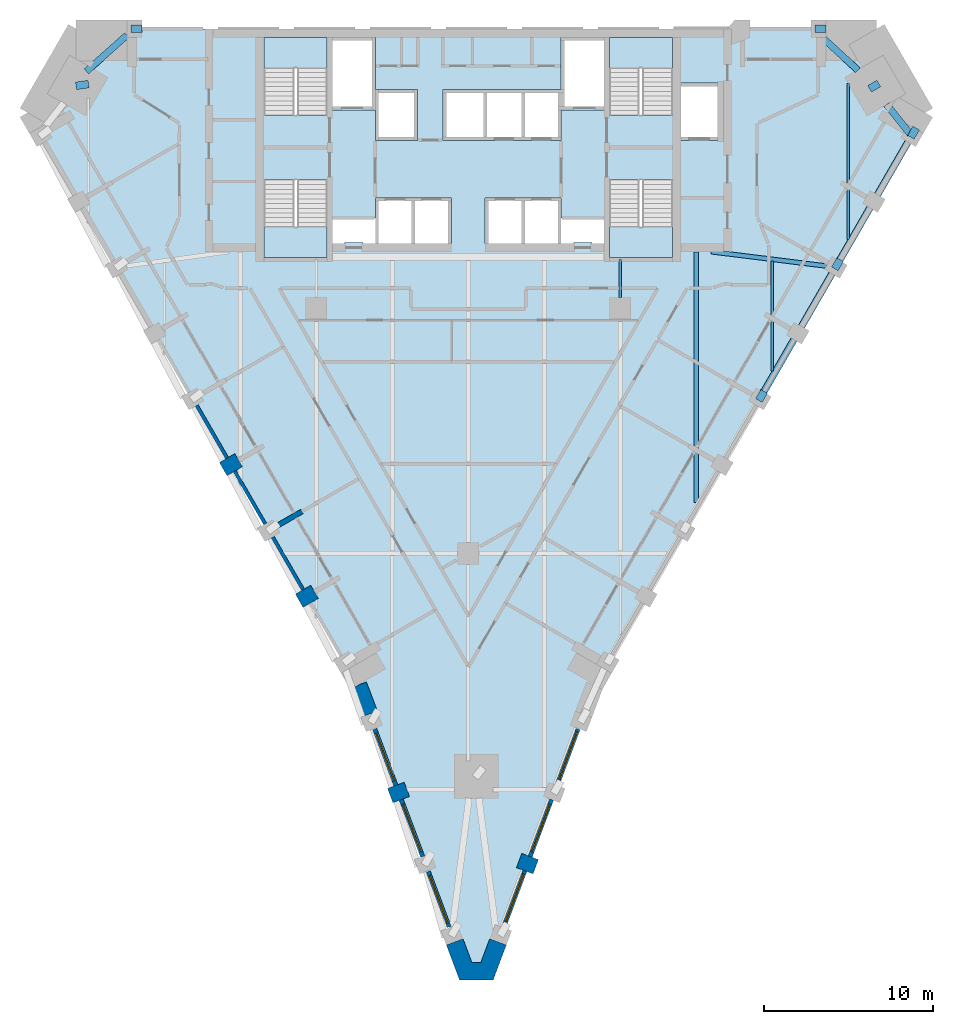
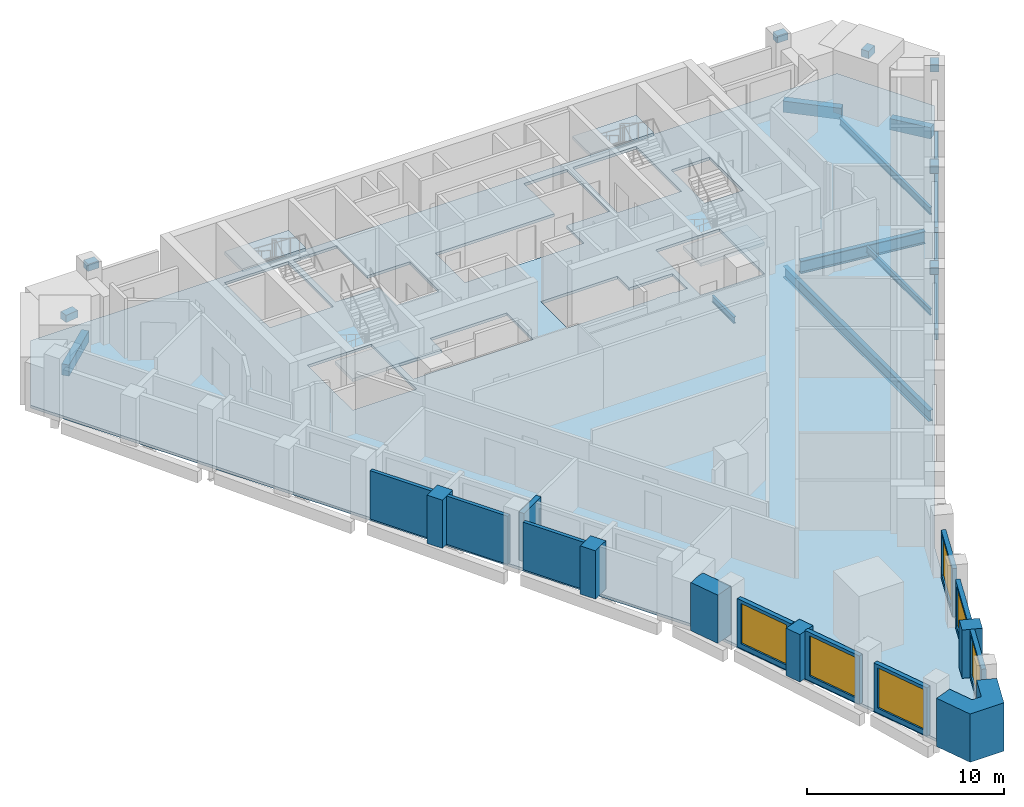
# One storey, part 2 of 10: 17 beams, 16 walls, 6 windows, 5 slabs, 6 openings, 4 elements without a shape of their own.
"""IFC4 building model written with IfcOpenShell, lengths in metres."""

from ifc_helpers import new_model, si_unit, direction, frame, frame_2d, origin, origin_2d, place, context, subcontext, project, spatial, polyline, rectangle, i_section, outline, extrude, material, layer, layer_set, material_profile, profile_set, type_object, element, fill, aggregate, save


model = new_model("IFC4")

# Units and contexts
model_context = context("Model", 3, precision=1e-05, world=origin(), true_north=direction((0.0, 1.0)))
body_context = subcontext(model_context, "Body", "Model", "MODEL_VIEW")
ifc_project = project(units=[si_unit("LENGTHUNIT", "METRE"), si_unit("AREAUNIT", "SQUARE_METRE"), si_unit("VOLUMEUNIT", "CUBIC_METRE"), si_unit("PLANEANGLEUNIT", "RADIAN"), si_unit("MASSUNIT", "GRAM", prefix="KILO")], contexts=[model_context])

# Site, building, storey
site_placement = place(None, origin())
site = spatial("IfcSite", under=ifc_project, at=site_placement, CompositionType="ELEMENT")
building_placement = place(site_placement, origin())
building = spatial("IfcBuilding", under=site, at=building_placement, Name="Calabash Gate Tower", CompositionType="ELEMENT")
storey_placement = place(building_placement, frame((0.0, 0.0, 175.800048828125)))
storey = spatial("IfcBuildingStorey", under=building, at=storey_placement, Name="L41", CompositionType="ELEMENT", Elevation=175.800048828125)

# Beams
ifc_material_1 = material(Name="Concrete C80/95", Category="concrete")
ifc_material_profile_1 = material_profile(ifc_material_1, rectangle(XDim=0.449951171875, YDim=0.449951171875, at=origin_2d()))
ifc_profile_set_1 = profile_set([ifc_material_profile_1], Name="Concrete C80/95")
beam_type_1 = type_object("IfcBeamType", Name="Column offset link RC 450x450 Concrete C80/95", PredefinedType="BEAM", material=ifc_profile_set_1)
beam_1_placement = place(storey_placement, frame((23.762939453125, 15.5029296875, 3.50390625), z_axis=(0.866114673684, 0.499845348112, 0.0), x_axis=(-0.499845348112, 0.866114673684, 0.0)))
element("IfcBeam", 1, at=beam_1_placement, inside=storey, type_object=beam_type_1, Name="Column offset link L41 NE", PredefinedType="BEAM", context=body_context, shape_type="SweptSolid", body=[
    extrude(rectangle(XDim=0.449951171875, YDim=0.449951171875, at=origin_2d()), origin(), (0.0, 0.0, 1.0), 0.630615234375),
])
beam_2_placement = place(storey_placement, frame((-23.222900390625, 15.677001953125, 3.50390625), z_axis=(0.990188541439, 0.139737798759, 0.0), x_axis=(-0.139737798759, 0.990188541439, 0.0)))
element("IfcBeam", 2, at=beam_2_placement, inside=storey, type_object=beam_type_1, Name="Column offset link L41 NW", PredefinedType="BEAM", context=body_context, shape_type="SweptSolid", body=[
    extrude(rectangle(XDim=0.449951171875, YDim=0.449951171875, at=origin_2d()), origin(), (0.0, 0.0, 1.0), 0.751220703125),
])
for number, where, z_axis, x_axis, name in (
    (3, (17.20703125, -2.952880859375, 3.50390625), (0.49972245349, 0.866185586049, 0.0), (-0.866185586049, 0.49972245349, 0.0), "Column offset link L41 P11"),
    (4, (21.70703125, 4.841064453125, 3.50390625), (0.49972245349, 0.866185586049, 0.0), (-0.866185586049, 0.49972245349, 0.0), "Column offset link L41 P12"),
):
    element("IfcBeam", number, at=place(storey_placement, frame(where, z_axis=z_axis, x_axis=x_axis)), inside=storey, type_object=beam_type_1, Name=name, PredefinedType="BEAM", context=body_context, shape_type="SweptSolid", body=[
        extrude(rectangle(XDim=0.449951171875, YDim=0.449951171875, at=origin_2d()), origin(), (0.0, 0.0, 1.0), 0.630126953125),
    ])
beam_3_placement = place(storey_placement, frame((26.20703125, 12.635986328125, 3.50390625), z_axis=(0.500393920955, 0.865797853931, 0.0), x_axis=(-0.865797853931, 0.500393920955, 0.0)))
element("IfcBeam", 5, at=beam_3_placement, inside=storey, type_object=beam_type_1, Name="Column offset link L41 P13", PredefinedType="BEAM", context=body_context, shape_type="SweptSolid", body=[
    extrude(rectangle(XDim=0.449951171875, YDim=0.449951171875, at=origin_2d()), origin(), (0.0, 0.0, 1.0), 0.62939453125),
])
for number, where, z_axis, x_axis, name in (
    (6, (-19.9580078125, 19.052978515625, 3.50390625), (1.0, 0.0, 0.0), (0.0, 1.0, 0.0), "Column offset link L41 P17"),
    (7, (20.5419921875, 19.052978515625, 3.50390625), (1.0, 0.0, 0.0), (0.0, 1.0, 0.0), "Column offset link L41 P24"),
):
    element("IfcBeam", number, at=place(storey_placement, frame(where, z_axis=z_axis, x_axis=x_axis)), inside=storey, type_object=beam_type_1, Name=name, PredefinedType="BEAM", context=body_context, shape_type="SweptSolid", body=[
        extrude(rectangle(XDim=0.449951171875, YDim=0.449951171875, at=origin_2d()), origin(), (0.0, 0.0, 1.0), 0.630126953125),
    ])
ifc_material_2 = material(Name="Concrete C50/60", Category="concrete")
ifc_material_profile_2 = material_profile(ifc_material_2, rectangle(XDim=0.39990234375, YDim=0.699951171875, at=origin_2d()))
ifc_profile_set_2 = profile_set([ifc_material_profile_2], Name="Concrete C50/60")
beam_type_2 = type_object("IfcBeamType", Name="Edge beam RC 400x700 Concrete C50/60", PredefinedType="BEAM", material=ifc_profile_set_2)
beam_4_placement = place(storey_placement, frame((17.27197265625, -2.840087890625, -0.52001953125), z_axis=(0.500135313796, 0.865947266232, 0.0), x_axis=(-0.865947266232, 0.500135313796, 0.0)))
element("IfcBeam", 8, at=beam_4_placement, inside=storey, type_object=beam_type_2, Name="Edge beam L41 13", PredefinedType="BEAM", context=body_context, shape_type="SweptSolid", body=[
    extrude(rectangle(XDim=0.39990234375, YDim=0.699951171875, at=origin_2d()), origin(), (0.0, 0.0, 1.0), 8.548095703125),
])
beam_5_placement = place(storey_placement, frame((21.77197265625, 4.95703125, -0.52001953125), z_axis=(0.50029616164, 0.865854347248, 0.0), x_axis=(-0.865854347248, 0.50029616164, 0.0)))
element("IfcBeam", 9, at=beam_5_placement, inside=storey, type_object=beam_type_2, Name="Edge beam L41 14", PredefinedType="BEAM", context=body_context, shape_type="SweptSolid", body=[
    extrude(rectangle(XDim=0.39990234375, YDim=0.699951171875, at=origin_2d()), origin(), (0.0, 0.0, 1.0), 8.545166015625),
])
beam_6_placement = place(storey_placement, frame((26.176025390625, 12.81103515625, -0.52001953125), z_axis=(-0.620961056093, 0.78384141688, 0.0), x_axis=(-0.78384141688, -0.620961056093, 0.0)))
element("IfcBeam", 10, at=beam_6_placement, inside=storey, type_object=beam_type_2, Name="Edge beam L41 15", PredefinedType="BEAM", context=body_context, shape_type="SweptSolid", body=[
    extrude(rectangle(XDim=0.39990234375, YDim=0.699951171875, at=origin_2d()), origin(), (0.0, 0.0, 1.0), 2.2529296875),
])
beam_7_placement = place(storey_placement, frame((23.073974609375, 16.60595703125, -0.52001953125), z_axis=(-0.737193931514, 0.675681217246, 0.0), x_axis=(-0.675681217246, -0.737193931514, 0.0)))
element("IfcBeam", 11, at=beam_7_placement, inside=storey, type_object=beam_type_2, Name="Edge beam L41 16", PredefinedType="BEAM", context=body_context, shape_type="SweptSolid", body=[
    extrude(rectangle(XDim=0.39990234375, YDim=0.699951171875, at=origin_2d()), origin(), (0.0, 0.0, 1.0), 3.05615234375),
])
beam_8_placement = place(storey_placement, frame((-20.2109375, 18.677001953125, -0.52001953125), z_axis=(-0.746361655532, -0.665540591664, 0.0), x_axis=(0.665540591664, -0.746361655532, 0.0)))
element("IfcBeam", 12, at=beam_8_placement, inside=storey, type_object=beam_type_2, Name="Edge beam L41 17", PredefinedType="BEAM", context=body_context, shape_type="SweptSolid", body=[
    extrude(rectangle(XDim=0.39990234375, YDim=0.699951171875, at=origin_2d()), origin(), (0.0, 0.0, 1.0), 3.217041015625),
])
ifc_material_3 = material(Name="Steel ASTM A992 Gr50", Category="steel")
ifc_material_profile_3 = material_profile(ifc_material_3, i_section(OverallWidth=0.1396484375, OverallDepth=0.398681640625, WebThickness=0.00634765625, FlangeThickness=0.0087890625, FilletRadius=0.01025390625, at=origin_2d()))
ifc_profile_set_3 = profile_set([ifc_material_profile_3], Name="Steel ASTM A992 Gr50")
beam_type_3 = type_object("IfcBeamType", Name="Floor beam W16x26 ASTM A992 Gr50", PredefinedType="BEAM", material=ifc_profile_set_3)
beam_9_placement = place(storey_placement, frame((9.0, 3.14990234375, -0.369140625), z_axis=(0.0, 1.0, 0.0), x_axis=(-1.0, 0.0, 0.0)))
element("IfcBeam", 13, at=beam_9_placement, inside=storey, type_object=beam_type_3, Name="Floor beam L41 15", PredefinedType="BEAM", context=body_context, shape_type="SweptSolid", body=[
    extrude(i_section(OverallWidth=0.1396484375, OverallDepth=0.398681640625, WebThickness=0.00634765625, FlangeThickness=0.0087890625, FilletRadius=0.01025390625, at=origin_2d()), origin(), (0.0, 0.0, 1.0), 2.253173828125),
])
beam_10_placement = place(storey_placement, frame((18.0, -1.2109375, -0.369140625), z_axis=(0.0, 1.0, 0.0), x_axis=(-1.0, 0.0, 0.0)))
element("IfcBeam", 14, at=beam_10_placement, inside=storey, type_object=beam_type_3, Name="Floor beam L41 17", PredefinedType="BEAM", context=body_context, shape_type="SweptSolid", body=[
    extrude(i_section(OverallWidth=0.1396484375, OverallDepth=0.398681640625, WebThickness=0.00634765625, FlangeThickness=0.0087890625, FilletRadius=0.01025390625, at=origin_2d()), origin(), (0.0, 0.0, 1.0), 6.5048828125),
])
ifc_material_4 = material(Name="Steel ASTM A992 Gr50", Category="steel")
ifc_material_profile_4 = material_profile(ifc_material_4, i_section(OverallWidth=0.15234375, OverallDepth=0.44970703125, WebThickness=0.007568359375, FlangeThickness=0.0107421875, FilletRadius=0.01025390625, at=origin_2d()))
ifc_profile_set_4 = profile_set([ifc_material_profile_4], Name="Steel ASTM A992 Gr50")
beam_type_4 = type_object("IfcBeamType", Name="Floor beam W18x35 ASTM A992 Gr50", PredefinedType="BEAM", material=ifc_profile_set_4)
beam_11_placement = place(storey_placement, frame((22.5, 6.5830078125, -0.39306640625), z_axis=(0.0, 1.0, 0.0), x_axis=(-1.0, 0.0, 0.0)))
element("IfcBeam", 15, at=beam_11_placement, inside=storey, type_object=beam_type_4, Name="Floor beam L41 18", PredefinedType="BEAM", context=body_context, shape_type="SweptSolid", body=[
    extrude(i_section(OverallWidth=0.15234375, OverallDepth=0.44970703125, WebThickness=0.007568359375, FlangeThickness=0.0107421875, FilletRadius=0.01025390625, at=origin_2d()), origin(), (0.0, 0.0, 1.0), 9.22900390625),
])
ifc_material_5 = material(Name="Steel ASTM A992 Gr50", Category="steel")
ifc_material_profile_5 = material_profile(ifc_material_5, i_section(OverallWidth=0.25390625, OverallDepth=0.67822265625, WebThickness=0.01171875, FlangeThickness=0.016357421875, FilletRadius=0.01513671875, at=origin_2d()))
ifc_profile_set_5 = profile_set([ifc_material_profile_5], Name="Steel ASTM A992 Gr50")
beam_type_5 = type_object("IfcBeamType", Name="Floor beam W27x84 ASTM A992 Gr50", PredefinedType="BEAM", material=ifc_profile_set_5)
beam_12_placement = place(storey_placement, frame((13.5, -9.0029296875, -0.509033203125), z_axis=(0.0, 1.0, 0.0), x_axis=(-1.0, 0.0, 0.0)))
element("IfcBeam", 16, at=beam_12_placement, inside=storey, type_object=beam_type_5, Name="Floor beam L41 16", PredefinedType="BEAM", context=body_context, shape_type="SweptSolid", body=[
    extrude(i_section(OverallWidth=0.25390625, OverallDepth=0.67822265625, WebThickness=0.01171875, FlangeThickness=0.016357421875, FilletRadius=0.01513671875, at=origin_2d()), origin(), (0.0, 0.0, 1.0), 14.85595703125),
])
ifc_material_6 = material(Name="Steel ASTM A992 Gr50", Category="steel")
ifc_material_profile_6 = material_profile(ifc_material_6, i_section(OverallWidth=0.2666015625, OverallDepth=0.77978515625, WebThickness=0.0166015625, FlangeThickness=0.030029296875, FilletRadius=0.0166015625, at=origin_2d()))
ifc_profile_set_6 = profile_set([ifc_material_profile_6], Name="Steel ASTM A992 Gr50")
beam_type_6 = type_object("IfcBeamType", Name="Girder W30x148 ASTM A992 Gr50", PredefinedType="BEAM", material=ifc_profile_set_6)
beam_13_placement = place(storey_placement, frame((21.218994140625, 5.007080078125, -0.56005859375), z_axis=(-0.992362690963, 0.123354325355, 0.0), x_axis=(-0.123354325355, -0.992362690963, 0.0)))
element("IfcBeam", 17, at=beam_13_placement, inside=storey, type_object=beam_type_6, Name="Girder L41 3", PredefinedType="BEAM", context=body_context, shape_type="SweptSolid", body=[
    extrude(i_section(OverallWidth=0.2666015625, OverallDepth=0.77978515625, WebThickness=0.0166015625, FlangeThickness=0.030029296875, FilletRadius=0.0166015625, at=origin_2d()), origin(), (0.0, 0.0, 1.0), 6.8896484375),
])

# Slab
ifc_material_7 = material(Name="Concrete C40/50", Category="concrete")
ifc_layer_1 = layer(ifc_material_7, 0.169921875)
ifc_layer_set_1 = layer_set([ifc_layer_1], Name="Composite floor slab 170 Concrete C40/50")
slab_type_1 = type_object("IfcSlabType", Name="Composite floor slab 170 Concrete C40/50", PredefinedType="FLOOR", material=ifc_layer_set_1)
slab_1_placement = place(storey_placement, frame((0.0, 0.0, -0.170166015625)))
element("IfcSlab", 18, at=slab_1_placement, inside=storey, type_object=slab_type_1, Name="Floor slab L41", PredefinedType="FLOOR", context=body_context, shape_type="SweptSolid", body=[
    extrude(outline(polyline([(-23.2216796875, 19.052490234375), (24.18115234375, 19.052490234375), (27.04638671875, 14.08984375), (7.479736328125, -19.800537109375), (1.113037109375, -36.739990234375), (-0.153564453125, -36.739990234375), (-6.520263671875, -19.800537109375), (-26.0869140625, 14.08984375), (-23.2216796875, 19.052490234375)]), holes=[polyline([(-3.25, 9.052490234375), (-5.5, 9.052490234375), (-5.5, 7.8525390625), (-8.050048828125, 7.8525390625), (-8.050048828125, 6.3525390625), (-7.324951171875, 6.3525390625), (-7.324951171875, 6.402587890625), (-6.22509765625, 6.402587890625), (-6.22509765625, 6.3525390625), (-5.5, 6.3525390625), (-3.25, 6.3525390625), (-1.0, 6.3525390625), (-1.0, 9.052490234375), (-3.25, 9.052490234375)]), polyline([(5.5, 6.3525390625), (6.22509765625, 6.3525390625), (6.22509765625, 6.402587890625), (7.324951171875, 6.402587890625), (7.324951171875, 6.3525390625), (8.050048828125, 6.3525390625), (8.050048828125, 7.8525390625), (5.5, 7.8525390625), (5.5, 9.052490234375), (3.25, 9.052490234375), (1.0, 9.052490234375), (1.0, 6.3525390625), (3.25, 6.3525390625), (5.5, 6.3525390625)]), polyline([(-5.5, 12.45263671875), (-3.0, 12.45263671875), (-3.0, 15.45263671875), (-5.5, 15.45263671875), (-5.5, 18.552490234375), (-8.050048828125, 18.552490234375), (-8.050048828125, 14.252685546875), (-5.5, 14.252685546875), (-5.5, 12.45263671875)]), polyline([(-1.5, 15.45263671875), (-1.5, 12.45263671875), (1.0, 12.45263671875), (3.25, 12.45263671875), (5.5, 12.45263671875), (5.5, 14.252685546875), (8.050048828125, 14.252685546875), (8.050048828125, 18.552490234375), (5.5, 18.552490234375), (5.5, 15.45263671875), (3.25, 15.45263671875), (1.0, 15.45263671875), (-1.5, 15.45263671875)]), polyline([(14.85009765625, 15.8525390625), (12.60009765625, 15.8525390625), (12.60009765625, 12.45263671875), (14.85009765625, 12.45263671875), (14.85009765625, 15.8525390625)]), polyline([(-8.35009765625, 18.552490234375), (-12.10009765625, 18.552490234375), (-12.10009765625, 13.95263671875), (-8.35009765625, 13.95263671875), (-8.35009765625, 18.552490234375)]), polyline([(-12.10009765625, 10.1025390625), (-12.10009765625, 5.502685546875), (-8.35009765625, 5.502685546875), (-8.35009765625, 10.1025390625), (-12.10009765625, 10.1025390625)]), polyline([(8.35009765625, 13.95263671875), (12.10009765625, 13.95263671875), (12.10009765625, 18.552490234375), (8.35009765625, 18.552490234375), (8.35009765625, 13.95263671875)]), polyline([(12.10009765625, 5.502685546875), (12.10009765625, 10.1025390625), (8.35009765625, 10.1025390625), (8.35009765625, 5.502685546875), (12.10009765625, 5.502685546875)])]), origin(), (0.0, 0.0, 1.0), 0.170166015625),
])

# Stair, slab
ifc_material_8 = material(Name="Concrete C40/50", Category="concrete")
stair_type = type_object("IfcStairType", Name="Exit stair 22 risers of 177.3 mm", PredefinedType="HALF_TURN_STAIR", material=ifc_material_8)
stair_1_placement = place(storey_placement, origin())
stair_1 = element("IfcStair", 19, at=stair_1_placement, inside=storey, type_object=stair_type, Name="L41 Exit stair ST1", PredefinedType="HALF_TURN_STAIR")
ifc_material_9 = material(Name="Concrete C40/50", Category="concrete")
ifc_layer_2 = layer(ifc_material_9, 0.199951171875)
ifc_layer_set_2 = layer_set([ifc_layer_2], Name="Stair landing SL200")
slab_type_2 = type_object("IfcSlabType", Name="Stair landing SL200", PredefinedType="LANDING", material=ifc_layer_set_2)
slab_2_placement = place(storey_placement, frame((0.0, 0.0, 1.75)))
slab_2 = element("IfcSlab", 20, at=slab_2_placement, type_object=slab_type_2, Name="ST1 landing 1", PredefinedType="LANDING", context=body_context, shape_type="SweptSolid", body=[
    extrude(outline(polyline([(-8.35009765625, 16.74267578125), (-8.35009765625, 18.552490234375), (-12.10009765625, 18.552490234375), (-12.10009765625, 16.74267578125), (-8.35009765625, 16.74267578125)])), origin(), (0.0, 0.0, 1.0), 0.199951171875),
])
aggregate(stair_1, [slab_2])

stair_2_placement = place(storey_placement, origin())
stair_2 = element("IfcStair", 21, at=stair_2_placement, inside=storey, type_object=stair_type, Name="L41 Exit stair ST2", PredefinedType="HALF_TURN_STAIR")
slab_3_placement = place(storey_placement, frame((0.0, 0.0, 1.75)))
slab_3 = element("IfcSlab", 22, at=slab_3_placement, type_object=slab_type_2, Name="ST2 landing 1", PredefinedType="LANDING", context=body_context, shape_type="SweptSolid", body=[
    extrude(outline(polyline([(-12.10009765625, 7.3125), (-12.10009765625, 5.502685546875), (-8.35009765625, 5.502685546875), (-8.35009765625, 7.3125), (-12.10009765625, 7.3125)])), origin(), (0.0, 0.0, 1.0), 0.199951171875),
])
aggregate(stair_2, [slab_3])

stair_3_placement = place(storey_placement, origin())
stair_3 = element("IfcStair", 23, at=stair_3_placement, inside=storey, type_object=stair_type, Name="L41 Exit stair ST3", PredefinedType="HALF_TURN_STAIR")
slab_4_placement = place(storey_placement, frame((0.0, 0.0, 1.75)))
slab_4 = element("IfcSlab", 24, at=slab_4_placement, type_object=slab_type_2, Name="ST3 landing 1", PredefinedType="LANDING", context=body_context, shape_type="SweptSolid", body=[
    extrude(outline(polyline([(12.10009765625, 16.74267578125), (12.10009765625, 18.552490234375), (8.35009765625, 18.552490234375), (8.35009765625, 16.74267578125), (12.10009765625, 16.74267578125)])), origin(), (0.0, 0.0, 1.0), 0.199951171875),
])
aggregate(stair_3, [slab_4])

stair_4_placement = place(storey_placement, origin())
stair_4 = element("IfcStair", 25, at=stair_4_placement, inside=storey, type_object=stair_type, Name="L41 Exit stair ST4", PredefinedType="HALF_TURN_STAIR")
slab_5_placement = place(storey_placement, frame((0.0, 0.0, 1.75)))
slab_5 = element("IfcSlab", 26, at=slab_5_placement, type_object=slab_type_2, Name="ST4 landing 1", PredefinedType="LANDING", context=body_context, shape_type="SweptSolid", body=[
    extrude(outline(polyline([(8.35009765625, 7.3125), (8.35009765625, 5.502685546875), (12.10009765625, 5.502685546875), (12.10009765625, 7.3125), (8.35009765625, 7.3125)])), origin(), (0.0, 0.0, 1.0), 0.199951171875),
])
aggregate(stair_4, [slab_5])

# Walls
ifc_material_10 = material(Name="Terracotta brick masonry, exposed face", Category="masonry")
ifc_layer_3 = layer(ifc_material_10, 1.050048828125)
ifc_layer_set_3 = layer_set([ifc_layer_3], Name="Brick end wall 1050")
wall_type_1 = type_object("IfcWallType", Name="Brick end wall 1050", PredefinedType="SOLIDWALL", material=ifc_layer_set_3)
for number, where, z_axis, x_axis, name in (
    (27, (-14.50830078125, -7.014892578125, 0.0), (0.0, 0.0, 1.0), (0.866088799389, 0.499890179513, 0.0), "Brick pier S11 SW0.5"),
    (28, (-10.00830078125, -14.80908203125, 0.0), (0.0, 0.0, 1.0), (0.866088799389, 0.499890179513, 0.0), "Brick pier S11 SW0.7"),
):
    element("IfcWall", number, at=place(storey_placement, frame(where, z_axis=z_axis, x_axis=x_axis)), inside=storey, type_object=wall_type_1, Name=name, PredefinedType="SOLIDWALL", context=body_context, shape_type="SweptSolid", body=[
        extrude(rectangle(XDim=1.050048828125, YDim=0.89990234375, at=frame_2d((0.52490234375, 0.0))), origin(), (0.0, 0.0, 1.0), 3.0),
    ])
wall_1_placement = place(storey_placement, frame((-4.6201171875, -26.348876953125, 0.0), z_axis=(0.0, 0.0, 1.0), x_axis=(0.936003928089, 0.351989554676, 0.0)))
element("IfcWall", 29, at=wall_1_placement, inside=storey, type_object=wall_type_1, Name="Brick pier S11 wedge1.1", PredefinedType="SOLIDWALL", context=body_context, shape_type="SweptSolid", body=[
    extrude(rectangle(XDim=1.050048828125, YDim=0.89990234375, at=frame_2d((0.52490234375, 0.0))), origin(), (0.0, 0.0, 1.0), 2.949951171875),
])
wall_2_placement = place(storey_placement, frame((3.99609375, -30.56103515625, 0.0), z_axis=(0.0, 0.0, 1.0), x_axis=(-0.936080509118, 0.351785844584, 0.0)))
element("IfcWall", 30, at=wall_2_placement, inside=storey, type_object=wall_type_1, Name="Brick pier S11 wedge3.1", PredefinedType="SOLIDWALL", context=body_context, shape_type="SweptSolid", body=[
    extrude(rectangle(XDim=1.050048828125, YDim=0.89990234375, at=frame_2d((0.52490234375, 0.0))), origin(), (0.0, 0.0, 1.0), 3.0),
])
wall_3_placement = place(storey_placement, origin())
element("IfcWall", 31, at=wall_3_placement, inside=storey, type_object=wall_type_1, Name="Brick end wall S11 1", PredefinedType="SOLIDWALL", context=body_context, shape_type="SweptSolid", body=[
    extrude(outline(polyline([(-5.378662109375, -21.345947265625), (-6.02880859375, -19.61572265625), (-6.520263671875, -19.800537109375), (-6.97509765625, -20.06298828125), (-6.99658203125, -20.025634765625), (-6.361572265625, -21.71533203125), (-5.378662109375, -21.345947265625)])), origin(), (0.0, 0.0, 1.0), 3.0),
])
wall_4_placement = place(storey_placement, origin())
element("IfcWall", 32, at=wall_4_placement, inside=storey, type_object=wall_type_1, Name="Brick end wall S11 2", PredefinedType="SOLIDWALL", context=body_context, shape_type="SweptSolid", body=[
    extrude(outline(polyline([(-1.295166015625, -35.19482421875), (-0.51708984375, -37.264892578125), (1.4765625, -37.264892578125), (2.254638671875, -35.194580078125), (1.271484375, -34.82568359375), (0.74951171875, -36.21484375), (0.2099609375, -36.21484375), (-0.312255859375, -34.825439453125), (-1.295166015625, -35.19482421875)])), origin(), (0.0, 0.0, 1.0), 3.0),
])
ifc_material_11 = material(Name="Terracotta brick masonry, exposed face", Category="masonry")
ifc_layer_4 = layer(ifc_material_11, 0.300048828125)
ifc_layer_set_4 = layer_set([ifc_layer_4], Name="Brick loggia cheek wall 300")
wall_type_2 = type_object("IfcWallType", Name="Brick loggia cheek wall 300", PredefinedType="SOLIDWALL", material=ifc_layer_set_4)
wall_5_placement = place(storey_placement, frame((-11.348876953125, -10.386962890625, 0.0), z_axis=(0.0, 0.0, 1.0), x_axis=(0.866074815912, 0.499914405916, 0.0)))
element("IfcWall", 33, at=wall_5_placement, inside=storey, type_object=wall_type_2, Name="Loggia cheek S11 SW0.6", PredefinedType="SOLIDWALL", context=body_context, shape_type="SweptSolid", body=[
    extrude(rectangle(XDim=1.724853515625, YDim=0.300048828125, at=frame_2d((0.8623046875, 0.0))), origin(), (0.0, 0.0, 1.0), 3.0),
])

# Wall, opening, window
ifc_material_12 = material(Name="Aluminium framed window wall with insulated spandrel", Category="aluminium")
ifc_layer_5 = layer(ifc_material_12, 0.25)
ifc_layer_set_5 = layer_set([ifc_layer_5], Name="Prow window wall 250")
wall_type_3 = type_object("IfcWallType", Name="Prow window wall 250", PredefinedType="ELEMENTEDWALL", material=ifc_layer_set_5)
wall_6_placement = place(storey_placement, frame((-5.535888671875, -22.419921875, 0.0), z_axis=(0.0, 0.0, 1.0), x_axis=(0.351861542378, -0.936052057845, 0.0)))
wall_6 = element("IfcWall", 34, at=wall_6_placement, inside=storey, type_object=wall_type_3, Name="Prow window wall S11 wedge1.1", PredefinedType="ELEMENTEDWALL", context=body_context, shape_type="SweptSolid", body=[
    extrude(rectangle(XDim=3.5517578125, YDim=0.25, at=frame_2d((1.77587890625, 0.0))), origin(), (0.0, 0.0, 1.0), 3.0),
])
opening_1_placement = place(wall_6_placement, frame((0.25, 0.0, 0.300048828125)))
opening_1 = element("IfcOpeningElement", 35, at=opening_1_placement, cuts=wall_6, Name="Opening WP2", PredefinedType="OPENING", context=body_context, shape_type="SweptSolid", body=[
    extrude(rectangle(XDim=3.0, YDim=2.5, at=frame_2d((1.5, 1.25))), frame((0.0, 0.135009765625, 0.0), z_axis=(0.0, -1.0, 0.0), x_axis=(1.0, 0.0, 0.0)), (0.0, 0.0, 1.0), 0.27001953125),
])
ifc_material_13 = material(Name="Anodised aluminium frame, bronze finish, impact-rated laminated clear glazing", Category="aluminium")
window_type = type_object("IfcWindowType", Name="Window WP2 3000x2500", PartitioningType="DOUBLE_PANEL_VERTICAL", PredefinedType="WINDOW", material=ifc_material_13)
window_1_placement = place(opening_1_placement, origin())
window_1 = element("IfcWindow", 36, at=window_1_placement, inside=storey, type_object=window_type, Name="Prow window WP2 S11 wedge1.1", OverallHeight=2.5, OverallWidth=3.0, PartitioningType="SINGLE_PANEL", PredefinedType="WINDOW", context=body_context, shape_type="SweptSolid", body=[
    extrude(rectangle(XDim=3.0, YDim=2.5, at=frame_2d((1.5, 1.25))), frame((0.0, 0.030029296875, 0.0), z_axis=(0.0, -1.0, 0.0), x_axis=(1.0, 0.0, 0.0)), (0.0, 0.0, 1.0), 0.06005859375),
])
fill(opening_1, window_1)

wall_7_placement = place(storey_placement, frame((-3.97021484375, -26.585205078125, 0.0), z_axis=(0.0, 0.0, 1.0), x_axis=(0.351829371284, -0.936064150314, 0.0)))
wall_7 = element("IfcWall", 37, at=wall_7_placement, inside=storey, type_object=wall_type_3, Name="Prow window wall S11 wedge1.2", PredefinedType="ELEMENTEDWALL", context=body_context, shape_type="SweptSolid", body=[
    extrude(rectangle(XDim=3.60009765625, YDim=0.25, at=frame_2d((1.800048828125, 0.0))), origin(), (0.0, 0.0, 1.0), 3.0),
])
opening_2_placement = place(wall_7_placement, frame((0.300048828125, 0.0, 0.300048828125)))
opening_2 = element("IfcOpeningElement", 38, at=opening_2_placement, cuts=wall_7, Name="Opening WP2", PredefinedType="OPENING", context=body_context, shape_type="SweptSolid", body=[
    extrude(rectangle(XDim=3.0, YDim=2.5, at=frame_2d((1.5, 1.25))), frame((0.0, 0.135009765625, 0.0), z_axis=(0.0, -1.0, 0.0), x_axis=(1.0, 0.0, 0.0)), (0.0, 0.0, 1.0), 0.27001953125),
])
window_2_placement = place(opening_2_placement, origin())
window_2 = element("IfcWindow", 39, at=window_2_placement, inside=storey, type_object=window_type, Name="Prow window WP2 S11 wedge1.2", OverallHeight=2.5, OverallWidth=3.0, PartitioningType="SINGLE_PANEL", PredefinedType="WINDOW", context=body_context, shape_type="SweptSolid", body=[
    extrude(rectangle(XDim=3.0, YDim=2.5, at=frame_2d((1.5, 1.25))), frame((0.0, 0.030029296875, 0.0), z_axis=(0.0, -1.0, 0.0), x_axis=(1.0, 0.0, 0.0)), (0.0, 0.0, 1.0), 0.06005859375),
])
fill(opening_2, window_2)

wall_8_placement = place(storey_placement, frame((-2.369384765625, -30.844482421875, 0.0), z_axis=(0.0, 0.0, 1.0), x_axis=(0.351788440802, -0.936079533436, 0.0)))
wall_8 = element("IfcWall", 40, at=wall_8_placement, inside=storey, type_object=wall_type_3, Name="Prow window wall S11 wedge1.3", PredefinedType="ELEMENTEDWALL", context=body_context, shape_type="SweptSolid", body=[
    extrude(rectangle(XDim=3.499755859375, YDim=0.25, at=frame_2d((1.75, 0.0))), origin(), (0.0, 0.0, 1.0), 3.0),
])
opening_3_placement = place(wall_8_placement, frame((0.25, 0.0, 0.300048828125)))
opening_3 = element("IfcOpeningElement", 41, at=opening_3_placement, cuts=wall_8, Name="Opening WP2", PredefinedType="OPENING", context=body_context, shape_type="SweptSolid", body=[
    extrude(rectangle(XDim=3.0, YDim=2.5, at=frame_2d((1.5, 1.25))), frame((0.0, 0.135009765625, 0.0), z_axis=(0.0, -1.0, 0.0), x_axis=(1.0, 0.0, 0.0)), (0.0, 0.0, 1.0), 0.27001953125),
])
window_3_placement = place(opening_3_placement, origin())
window_3 = element("IfcWindow", 42, at=window_3_placement, inside=storey, type_object=window_type, Name="Prow window WP2 S11 wedge1.3", OverallHeight=2.5, OverallWidth=3.0, PartitioningType="SINGLE_PANEL", PredefinedType="WINDOW", context=body_context, shape_type="SweptSolid", body=[
    extrude(rectangle(XDim=3.0, YDim=2.5, at=frame_2d((1.5, 1.25))), frame((0.0, 0.030029296875, 0.0), z_axis=(0.0, -1.0, 0.0), x_axis=(1.0, 0.0, 0.0)), (0.0, 0.0, 1.0), 0.06005859375),
])
fill(opening_3, window_3)

wall_9_placement = place(storey_placement, frame((2.079833984375, -34.16748046875, 0.0), z_axis=(0.0, 0.0, 1.0), x_axis=(0.351829371284, 0.936064150314, 0.0)))
wall_9 = element("IfcWall", 43, at=wall_9_placement, inside=storey, type_object=wall_type_3, Name="Prow window wall S11 wedge3.1", PredefinedType="ELEMENTEDWALL", context=body_context, shape_type="SweptSolid", body=[
    extrude(rectangle(XDim=3.60009765625, YDim=0.25, at=frame_2d((1.800048828125, 0.0))), origin(), (0.0, 0.0, 1.0), 3.0),
])
opening_4_placement = place(wall_9_placement, frame((0.39990234375, 0.0, 0.300048828125)))
opening_4 = element("IfcOpeningElement", 44, at=opening_4_placement, cuts=wall_9, Name="Opening WP2", PredefinedType="OPENING", context=body_context, shape_type="SweptSolid", body=[
    extrude(rectangle(XDim=3.0, YDim=2.5, at=frame_2d((1.5, 1.25))), frame((0.0, 0.135009765625, 0.0), z_axis=(0.0, -1.0, 0.0), x_axis=(1.0, 0.0, 0.0)), (0.0, 0.0, 1.0), 0.27001953125),
])
window_4_placement = place(opening_4_placement, origin())
window_4 = element("IfcWindow", 45, at=window_4_placement, inside=storey, type_object=window_type, Name="Prow window WP2 S11 wedge3.1", OverallHeight=2.5, OverallWidth=3.0, PartitioningType="SINGLE_PANEL", PredefinedType="WINDOW", context=body_context, shape_type="SweptSolid", body=[
    extrude(rectangle(XDim=3.0, YDim=2.5, at=frame_2d((1.5, 1.25))), frame((0.0, 0.030029296875, 0.0), z_axis=(0.0, -1.0, 0.0), x_axis=(1.0, 0.0, 0.0)), (0.0, 0.0, 1.0), 0.06005859375),
])
fill(opening_4, window_4)

wall_10_placement = place(storey_placement, frame((3.6630859375, -29.955078125, 0.0), z_axis=(0.0, 0.0, 1.0), x_axis=(0.351829371284, 0.936064150314, 0.0)))
wall_10 = element("IfcWall", 46, at=wall_10_placement, inside=storey, type_object=wall_type_3, Name="Prow window wall S11 wedge3.2", PredefinedType="ELEMENTEDWALL", context=body_context, shape_type="SweptSolid", body=[
    extrude(rectangle(XDim=3.60009765625, YDim=0.25, at=frame_2d((1.800048828125, 0.0))), origin(), (0.0, 0.0, 1.0), 3.0),
])
opening_5_placement = place(wall_10_placement, frame((0.300048828125, 0.0, 0.300048828125)))
opening_5 = element("IfcOpeningElement", 47, at=opening_5_placement, cuts=wall_10, Name="Opening WP2", PredefinedType="OPENING", context=body_context, shape_type="SweptSolid", body=[
    extrude(rectangle(XDim=3.0, YDim=2.5, at=frame_2d((1.5, 1.25))), frame((0.0, 0.135009765625, 0.0), z_axis=(0.0, -1.0, 0.0), x_axis=(1.0, 0.0, 0.0)), (0.0, 0.0, 1.0), 0.27001953125),
])
window_5_placement = place(opening_5_placement, origin())
window_5 = element("IfcWindow", 48, at=window_5_placement, inside=storey, type_object=window_type, Name="Prow window WP2 S11 wedge3.2", OverallHeight=2.5, OverallWidth=3.0, PartitioningType="SINGLE_PANEL", PredefinedType="WINDOW", context=body_context, shape_type="SweptSolid", body=[
    extrude(rectangle(XDim=3.0, YDim=2.5, at=frame_2d((1.5, 1.25))), frame((0.0, 0.030029296875, 0.0), z_axis=(0.0, -1.0, 0.0), x_axis=(1.0, 0.0, 0.0)), (0.0, 0.0, 1.0), 0.06005859375),
])
fill(opening_5, window_5)

wall_11_placement = place(storey_placement, frame((5.263916015625, -25.696044921875, 0.0), z_axis=(0.0, 0.0, 1.0), x_axis=(0.351788440802, 0.936079533436, 0.0)))
wall_11 = element("IfcWall", 49, at=wall_11_placement, inside=storey, type_object=wall_type_3, Name="Prow window wall S11 wedge3.3", PredefinedType="ELEMENTEDWALL", context=body_context, shape_type="SweptSolid", body=[
    extrude(rectangle(XDim=3.499755859375, YDim=0.25, at=frame_2d((1.75, 0.0))), origin(), (0.0, 0.0, 1.0), 3.0),
])
opening_6_placement = place(wall_11_placement, frame((0.35009765625, 0.0, 0.300048828125)))
opening_6 = element("IfcOpeningElement", 50, at=opening_6_placement, cuts=wall_11, Name="Opening WP2", PredefinedType="OPENING", context=body_context, shape_type="SweptSolid", body=[
    extrude(rectangle(XDim=3.0, YDim=2.5, at=frame_2d((1.5, 1.25))), frame((0.0, 0.135009765625, 0.0), z_axis=(0.0, -1.0, 0.0), x_axis=(1.0, 0.0, 0.0)), (0.0, 0.0, 1.0), 0.27001953125),
])
window_6_placement = place(opening_6_placement, origin())
window_6 = element("IfcWindow", 51, at=window_6_placement, inside=storey, type_object=window_type, Name="Prow window WP2 S11 wedge3.3", OverallHeight=2.5, OverallWidth=3.0, PartitioningType="SINGLE_PANEL", PredefinedType="WINDOW", context=body_context, shape_type="SweptSolid", body=[
    extrude(rectangle(XDim=3.0, YDim=2.5, at=frame_2d((1.5, 1.25))), frame((0.0, 0.030029296875, 0.0), z_axis=(0.0, -1.0, 0.0), x_axis=(1.0, 0.0, 0.0)), (0.0, 0.0, 1.0), 0.06005859375),
])
fill(opening_6, window_6)

# Walls
ifc_material_14 = material(Name="Terracotta brick masonry, perforated", Category="masonry")
ifc_layer_6 = layer(ifc_material_14, 0.199951171875)
ifc_layer_set_6 = layer_set([ifc_layer_6], Name="Terracotta jaali screen A")
wall_type_4 = type_object("IfcWallType", Name="Terracotta jaali screen A", PredefinedType="SOLIDWALL", material=ifc_layer_set_6)
for number, where, z_axis, x_axis, name in (
    (52, (-16.07861328125, -3.2451171875, 0.0), (0.0, 0.0, 1.0), (0.500012057535, -0.866018442252, 0.0), "SCREEN A S11 SW0.5"),
    (53, (-13.82861328125, -7.14208984375, 0.0), (0.0, 0.0, 1.0), (0.500012057535, -0.866018442252, 0.0), "SCREEN A S11 SW0.6"),
):
    element("IfcWall", number, at=place(storey_placement, frame(where, z_axis=z_axis, x_axis=x_axis)), inside=storey, type_object=wall_type_4, Name=name, PredefinedType="SOLIDWALL", context=body_context, shape_type="SweptSolid", body=[
        extrude(rectangle(XDim=3.60009765625, YDim=0.199951171875, at=frame_2d((1.800048828125, 0.0))), origin(), (0.0, 0.0, 1.0), 3.0),
    ])
wall_12_placement = place(storey_placement, frame((-11.57861328125, -11.039306640625, 0.0), z_axis=(0.0, 0.0, 1.0), x_axis=(0.500012057535, -0.866018442252, 0.0)))
element("IfcWall", 54, at=wall_12_placement, inside=storey, type_object=wall_type_4, Name="SCREEN A S11 SW0.7", PredefinedType="SOLIDWALL", context=body_context, shape_type="SweptSolid", body=[
    extrude(rectangle(XDim=3.60009765625, YDim=0.199951171875, at=frame_2d((1.800048828125, 0.0))), origin(), (0.0, 0.0, 1.0), 2.949951171875),
])

save(model, "model.ifc")
